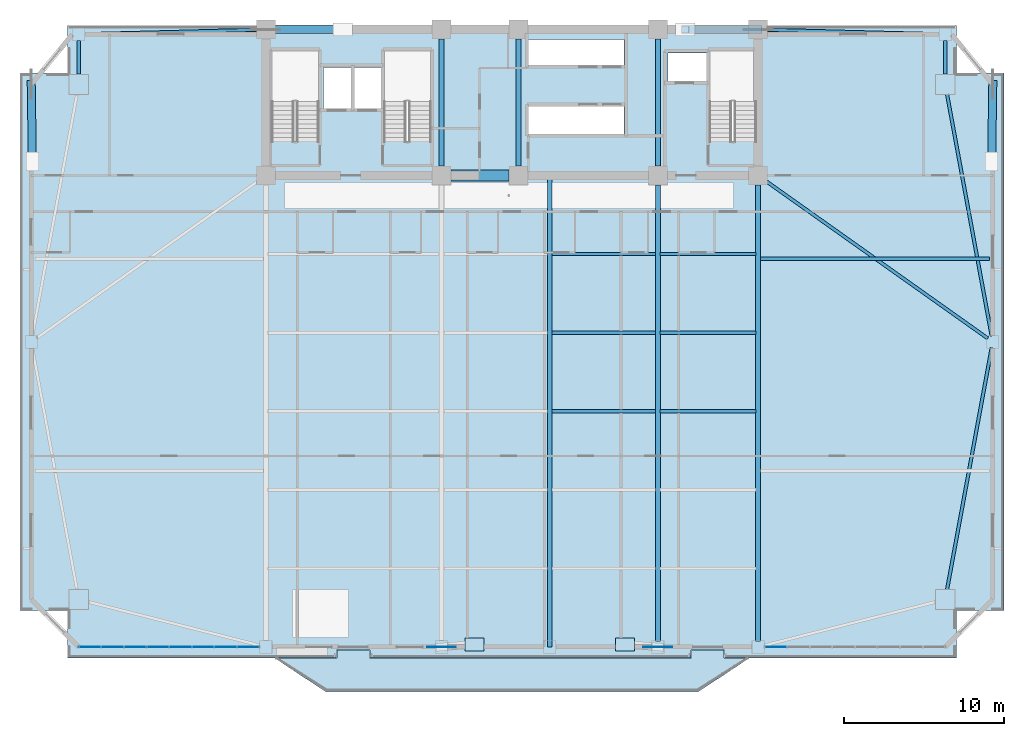
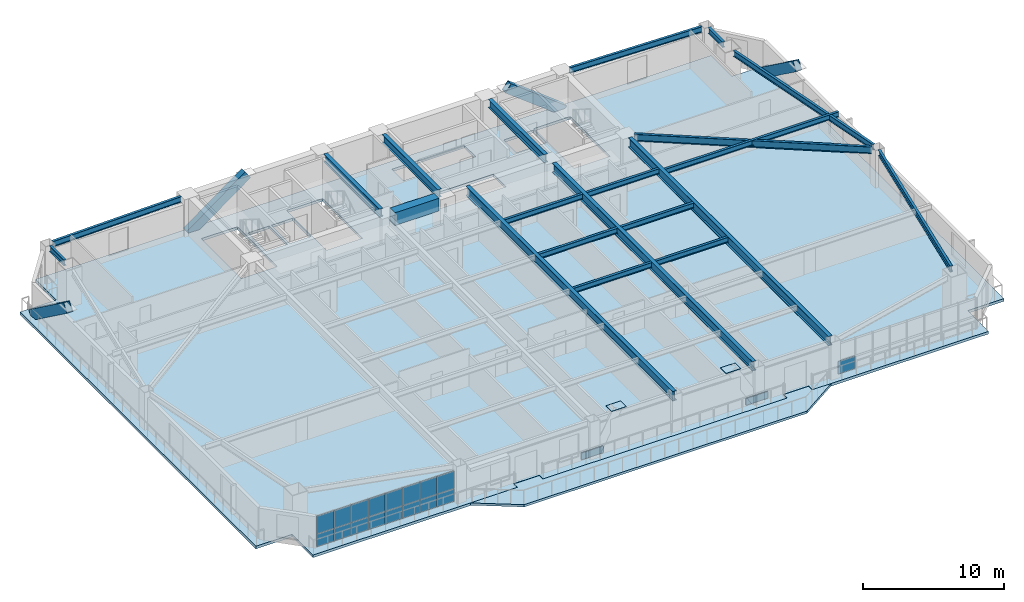
# One storey, part 6 of 17: 21 beams, 21 plates, 4 members, 2 slabs, 2 elements without a shape of their own.
"""IFC4 building model written with IfcOpenShell, lengths in metres."""

from ifc_helpers import new_model, si_unit, direction, frame, origin, origin_2d, place, context, subcontext, project, spatial, polyline, rectangle, hollow_rectangle, i_section, outline, extrude, source, transform, mapped, material, layer, layer_set, material_profile, profile_set, type_object, element, aggregate, save


model = new_model("IFC4")

# Units and contexts
model_context = context("Model", 3, precision=1e-05, world=origin(), true_north=direction((0.0, 1.0)))
body_context = subcontext(model_context, "Body", "Model", "MODEL_VIEW")
ifc_project = project(units=[si_unit("LENGTHUNIT", "METRE"), si_unit("AREAUNIT", "SQUARE_METRE"), si_unit("VOLUMEUNIT", "CUBIC_METRE"), si_unit("PLANEANGLEUNIT", "RADIAN"), si_unit("MASSUNIT", "GRAM", prefix="KILO")], contexts=[model_context])

# Site, building, storey
site_placement = place(None, origin())
site = spatial("IfcSite", under=ifc_project, at=site_placement, CompositionType="ELEMENT")
building_placement = place(site_placement, origin())
building = spatial("IfcBuilding", under=site, at=building_placement, Name="Giltprow Tower", CompositionType="ELEMENT")
storey_placement = place(building_placement, frame((0.0, 0.0, 137.699951171875)))
storey = spatial("IfcBuildingStorey", under=building, at=storey_placement, Name="L33", CompositionType="ELEMENT", Elevation=137.699951171875)

# Beams
ifc_material_1 = material(Name="Concrete C60", Category="concrete")
ifc_material_profile_1 = material_profile(ifc_material_1, rectangle(XDim=0.699951171875, YDim=1.10009765625, at=origin_2d()), Name="RC 1100x700")
ifc_profile_set_1 = profile_set([ifc_material_profile_1], Name="Concrete C60")
beam_type_1 = type_object("IfcBeamType", Name="BM-CPL-RC1100", PredefinedType="LINTEL", material=ifc_profile_set_1)
shared_shape_1 = source(origin(), body_context, "Body", "SweptSolid", [
    extrude(rectangle(XDim=0.699951171875, YDim=1.10009765625, at=origin_2d()), origin(), (0.0, 0.0, 1.0), 3.6298828125),
])
beam_1_placement = place(storey_placement, frame((31.385009765625, 37.449951171875, 2.719970703125), z_axis=(1.0, 0.0, 0.0), x_axis=(0.0, 1.0, 0.0)))
element("IfcBeam", 1, at=beam_1_placement, inside=storey, type_object=beam_type_1, Name="L33 Core Coupling Beam CB-1", PredefinedType="LINTEL", context=body_context, shape_type="MappedRepresentation", body=[
    mapped(shared_shape_1, transform((0.0, 0.0, 0.0), x_axis=(1.0, 0.0, 0.0), y_axis=(0.0, 1.0, 0.0), z_axis=(0.0, 0.0, 1.0), scale=1.0)),
])
ifc_material_2 = material(Name="Structural steel Q355B", Category="steel")
ifc_material_profile_2 = material_profile(ifc_material_2, i_section(OverallWidth=0.300048828125, OverallDepth=0.699951171875, WebThickness=0.012939453125, FlangeThickness=0.02392578125, at=origin_2d()), Name="HN 700x300x13x24")
ifc_profile_set_2 = profile_set([ifc_material_profile_2], Name="Structural steel Q355B")
beam_type_2 = type_object("IfcBeamType", Name="BM-GIRD-HN700", PredefinedType="BEAM", material=ifc_profile_set_2)
shared_shape_2 = source(origin(), body_context, "Body", "SweptSolid", [
    extrude(i_section(OverallWidth=0.300048828125, OverallDepth=0.699951171875, WebThickness=0.012939453125, FlangeThickness=0.02392578125, at=origin_2d()), origin(), (0.0, 0.0, 1.0), 7.93017578125),
])
for number, where, z_axis, x_axis, name in (
    (2, (30.800048828125, 38.034912109375, 2.920166015625), (0.0, 1.0, 0.0), (-1.0, 0.0, 0.0), "L33 Core Tie Girder M1"),
    (3, (35.60009765625, 38.034912109375, 2.920166015625), (0.0, 1.0, 0.0), (-1.0, 0.0, 0.0), "L33 Core Tie Girder M2"),
    (4, (44.300048828125, 38.034912109375, 2.920166015625), (0.0, 1.0, 0.0), (-1.0, 0.0, 0.0), "L33 Core Tie Girder M3"),
):
    element("IfcBeam", number, at=place(storey_placement, frame(where, z_axis=z_axis, x_axis=x_axis)), inside=storey, type_object=beam_type_2, Name=name, PredefinedType="BEAM", context=body_context, shape_type="MappedRepresentation", body=[
        mapped(shared_shape_2, transform((0.0, 0.0, 0.0), x_axis=(1.0, 0.0, 0.0), y_axis=(0.0, 1.0, 0.0), z_axis=(0.0, 0.0, 1.0), scale=1.0)),
    ])
ifc_material_profile_3 = material_profile(ifc_material_2, i_section(OverallWidth=0.199951171875, OverallDepth=0.449951171875, WebThickness=0.009033203125, FlangeThickness=0.013916015625, at=origin_2d()), Name="HN 450x200x9x14")
ifc_profile_set_3 = profile_set([ifc_material_profile_3], Name="Structural steel Q355B")
beam_type_3 = type_object("IfcBeamType", Name="BM-JOIST-HN450", PredefinedType="JOIST", material=ifc_profile_set_3)
shared_shape_3 = source(origin(), body_context, "Body", "SweptSolid", [
    extrude(i_section(OverallWidth=0.199951171875, OverallDepth=0.449951171875, WebThickness=0.009033203125, FlangeThickness=0.013916015625, at=origin_2d()), origin(), (0.0, 0.0, 1.0), 6.4599609375),
])
for number, where, z_axis, x_axis, name in (
    (5, (37.695068359375, 22.748046875, 3.045166015625), (1.0, 0.0, 0.0), (0.0, 1.0, 0.0), "L33 Composite Floor Joist 3-3"),
    (6, (37.695068359375, 27.64794921875, 3.045166015625), (1.0, 0.0, 0.0), (0.0, 1.0, 0.0), "L33 Composite Floor Joist 4-3"),
    (7, (37.695068359375, 32.549072265625, 3.045166015625), (1.0, 0.0, 0.0), (0.0, 1.0, 0.0), "L33 Composite Floor Joist 5-3"),
):
    element("IfcBeam", number, at=place(storey_placement, frame(where, z_axis=z_axis, x_axis=x_axis)), inside=storey, type_object=beam_type_3, Name=name, PredefinedType="JOIST", context=body_context, shape_type="MappedRepresentation", body=[
        mapped(shared_shape_3, transform((0.0, 0.0, 0.0), x_axis=(1.0, 0.0, 0.0), y_axis=(0.0, 1.0, 0.0), z_axis=(0.0, 0.0, 1.0), scale=1.0)),
    ])
shared_shape_4 = source(origin(), body_context, "Body", "SweptSolid", [
    extrude(i_section(OverallWidth=0.199951171875, OverallDepth=0.449951171875, WebThickness=0.009033203125, FlangeThickness=0.013916015625, at=origin_2d()), origin(), (0.0, 0.0, 1.0), 5.9599609375),
])
for number, where, z_axis, x_axis, name in (
    (8, (44.445068359375, 22.748046875, 3.045166015625), (1.0, 0.0, 0.0), (0.0, 1.0, 0.0), "L33 Composite Floor Joist 3-4"),
    (9, (44.445068359375, 27.64794921875, 3.045166015625), (1.0, 0.0, 0.0), (0.0, 1.0, 0.0), "L33 Composite Floor Joist 4-4"),
    (10, (44.445068359375, 32.549072265625, 3.045166015625), (1.0, 0.0, 0.0), (0.0, 1.0, 0.0), "L33 Composite Floor Joist 5-4"),
):
    element("IfcBeam", number, at=place(storey_placement, frame(where, z_axis=z_axis, x_axis=x_axis)), inside=storey, type_object=beam_type_3, Name=name, PredefinedType="JOIST", context=body_context, shape_type="MappedRepresentation", body=[
        mapped(shared_shape_4, transform((0.0, 0.0, 0.0), x_axis=(1.0, 0.0, 0.0), y_axis=(0.0, 1.0, 0.0), z_axis=(0.0, 0.0, 1.0), scale=1.0)),
    ])
shared_shape_5 = source(origin(), body_context, "Body", "SweptSolid", [
    extrude(i_section(OverallWidth=0.199951171875, OverallDepth=0.449951171875, WebThickness=0.009033203125, FlangeThickness=0.013916015625, at=origin_2d()), origin(), (0.0, 0.0, 1.0), 14.27099609375),
])
beam_2_placement = place(storey_placement, frame((50.695068359375, 32.260986328125, 3.045166015625), z_axis=(1.0, 0.0, 0.0), x_axis=(0.0, 1.0, 0.0)))
element("IfcBeam", 11, at=beam_2_placement, inside=storey, type_object=beam_type_3, Name="L33 East Wing Floor Joist 2", PredefinedType="JOIST", context=body_context, shape_type="MappedRepresentation", body=[
    mapped(shared_shape_5, transform((0.0, 0.0, 0.0), x_axis=(1.0, 0.0, 0.0), y_axis=(0.0, 1.0, 0.0), z_axis=(0.0, 0.0, 1.0), scale=1.0)),
])
ifc_material_profile_4 = material_profile(ifc_material_2, i_section(OverallWidth=0.199951171875, OverallDepth=0.5, WebThickness=0.010009765625, FlangeThickness=0.01611328125, at=origin_2d()), Name="HN 500x200x10x16")
ifc_profile_set_4 = profile_set([ifc_material_profile_4], Name="Structural steel Q355B")
beam_type_4 = type_object("IfcBeamType", Name="BM-SPAN-HN500", PredefinedType="SPANDREL", material=ifc_profile_set_4)
shared_shape_6 = source(origin(), body_context, "Body", "SweptSolid", [
    extrude(i_section(OverallWidth=0.199951171875, OverallDepth=0.5, WebThickness=0.010009765625, FlangeThickness=0.01611328125, at=origin_2d()), origin(), (0.0, 0.0, 1.0), 15.3134765625),
])
for number, where, z_axis, x_axis, name in (
    (12, (62.3359375, 11.634033203125, 3.02001953125), (0.181540600951, 0.98338345024, 0.0), (-0.98338345024, 0.181540600951, 0.0), "L33 Perimeter Spandrel Beam MC_SE-E_MID"),
    (13, (65.115966796875, 27.450927734375, 3.02001953125), (-0.181540600951, 0.98338345024, 0.0), (-0.98338345024, -0.181540600951, 0.0), "L33 Perimeter Spandrel Beam E_MID-MC_NE"),
):
    element("IfcBeam", number, at=place(storey_placement, frame(where, z_axis=z_axis, x_axis=x_axis)), inside=storey, type_object=beam_type_4, Name=name, PredefinedType="SPANDREL", context=body_context, shape_type="MappedRepresentation", body=[
        mapped(shared_shape_6, transform((0.0, 0.0, 0.0), x_axis=(1.0, 0.0, 0.0), y_axis=(0.0, 1.0, 0.0), z_axis=(0.0, 0.0, 1.0), scale=1.0)),
    ])
shared_shape_7 = source(origin(), body_context, "Body", "SweptSolid", [
    extrude(i_section(OverallWidth=0.199951171875, OverallDepth=0.5, WebThickness=0.010009765625, FlangeThickness=0.01611328125, at=origin_2d()), origin(), (0.0, 0.0, 1.0), 2.095947265625),
])
for number, where, z_axis, x_axis, name in (
    (14, (62.220947265625, 43.76904296875, 3.02001953125), (0.0, 1.0, 0.0), (-1.0, 0.0, 0.0), "L33 Perimeter Spandrel Beam MC_NE-N_E"),
    (15, (8.178955078125, 45.864990234375, 3.02001953125), (0.0, -1.0, 0.0), (1.0, 0.0, 0.0), "L33 Perimeter Spandrel Beam N_W-MC_NW"),
):
    element("IfcBeam", number, at=place(storey_placement, frame(where, z_axis=z_axis, x_axis=x_axis)), inside=storey, type_object=beam_type_4, Name=name, PredefinedType="SPANDREL", context=body_context, shape_type="MappedRepresentation", body=[
        mapped(shared_shape_7, transform((0.0, 0.0, 0.0), x_axis=(1.0, 0.0, 0.0), y_axis=(0.0, 1.0, 0.0), z_axis=(0.0, 0.0, 1.0), scale=1.0)),
    ])
shared_shape_8 = source(origin(), body_context, "Body", "SweptSolid", [
    extrude(i_section(OverallWidth=0.199951171875, OverallDepth=0.5, WebThickness=0.010009765625, FlangeThickness=0.01611328125, at=origin_2d()), origin(), (0.0, 0.0, 1.0), 10.704345703125),
])
for number, where, z_axis, x_axis, name in (
    (16, (8.56396484375, 46.260009765625, 3.02001953125), (0.999670185966, 0.02568110765, 0.0), (-0.02568110765, 0.999670185966, 0.0), "L33 North Wing Spandrel W"),
    (17, (51.135009765625, 46.534912109375, 3.02001953125), (0.999670185966, -0.02568110765, 0.0), (0.02568110765, 0.999670185966, 0.0), "L33 North Wing Spandrel E"),
):
    element("IfcBeam", number, at=place(storey_placement, frame(where, z_axis=z_axis, x_axis=x_axis)), inside=storey, type_object=beam_type_4, Name=name, PredefinedType="SPANDREL", context=body_context, shape_type="MappedRepresentation", body=[
        mapped(shared_shape_8, transform((0.0, 0.0, 0.0), x_axis=(1.0, 0.0, 0.0), y_axis=(0.0, 1.0, 0.0), z_axis=(0.0, 0.0, 1.0), scale=1.0)),
    ])
ifc_material_profile_5 = material_profile(ifc_material_2, i_section(OverallWidth=0.300048828125, OverallDepth=0.800048828125, WebThickness=0.013916015625, FlangeThickness=0.02587890625, at=origin_2d()), Name="HN 800x300x14x26")
ifc_profile_set_5 = profile_set([ifc_material_profile_5], Name="Structural steel Q355B")
beam_type_5 = type_object("IfcBeamType", Name="BM-GIRD-HN800", PredefinedType="BEAM", material=ifc_profile_set_5)
shared_shape_9 = source(origin(), body_context, "Body", "SweptSolid", [
    extrude(i_section(OverallWidth=0.300048828125, OverallDepth=0.800048828125, WebThickness=0.013916015625, FlangeThickness=0.02587890625, at=origin_2d()), origin(), (0.0, 0.0, 1.0), 28.43505859375),
])
for number, where, z_axis, x_axis, name in (
    (18, (44.300048828125, 8.429931640625, 2.8701171875), (0.0, 1.0, 0.0), (-1.0, 0.0, 0.0), "L33 Primary Lease Girder S3"),
    (19, (50.550048828125, 8.429931640625, 2.8701171875), (0.0, 1.0, 0.0), (-1.0, 0.0, 0.0), "L33 Primary Lease Girder S4"),
):
    element("IfcBeam", number, at=place(storey_placement, frame(where, z_axis=z_axis, x_axis=x_axis)), inside=storey, type_object=beam_type_5, Name=name, PredefinedType="BEAM", context=body_context, shape_type="MappedRepresentation", body=[
        mapped(shared_shape_9, transform((0.0, 0.0, 0.0), x_axis=(1.0, 0.0, 0.0), y_axis=(0.0, 1.0, 0.0), z_axis=(0.0, 0.0, 1.0), scale=1.0)),
    ])
shared_shape_10 = source(origin(), body_context, "Body", "SweptSolid", [
    extrude(i_section(OverallWidth=0.300048828125, OverallDepth=0.800048828125, WebThickness=0.013916015625, FlangeThickness=0.02587890625, at=origin_2d()), origin(), (0.0, 0.0, 1.0), 29.405029296875),
])
beam_3_placement = place(storey_placement, frame((37.550048828125, 8.044921875, 2.8701171875), z_axis=(0.0, 1.0, 0.0), x_axis=(-1.0, 0.0, 0.0)))
element("IfcBeam", 20, at=beam_3_placement, inside=storey, type_object=beam_type_5, Name="L33 Central Lease Girder SMID", PredefinedType="BEAM", context=body_context, shape_type="MappedRepresentation", body=[
    mapped(shared_shape_10, transform((0.0, 0.0, 0.0), x_axis=(1.0, 0.0, 0.0), y_axis=(0.0, 1.0, 0.0), z_axis=(0.0, 0.0, 1.0), scale=1.0)),
])
ifc_material_profile_6 = material_profile(ifc_material_2, i_section(OverallWidth=0.199951171875, OverallDepth=0.60009765625, WebThickness=0.010986328125, FlangeThickness=0.01708984375, at=origin_2d()), Name="HN 600x200x11x17")
ifc_profile_set_6 = profile_set([ifc_material_profile_6], Name="Structural steel Q355B")
beam_type_6 = type_object("IfcBeamType", Name="BM-GIRD-HN600", PredefinedType="BEAM", material=ifc_profile_set_6)
shared_shape_11 = source(origin(), body_context, "Body", "SweptSolid", [
    extrude(i_section(OverallWidth=0.199951171875, OverallDepth=0.60009765625, WebThickness=0.010986328125, FlangeThickness=0.01708984375, at=origin_2d()), origin(), (0.0, 0.0, 1.0), 16.972412109375),
])
beam_4_placement = place(storey_placement, frame((64.8720703125, 27.294921875, 2.969970703125), z_axis=(-0.815738567685, 0.57842077175, 0.0), x_axis=(-0.57842077175, -0.815738567685, 0.0)))
element("IfcBeam", 21, at=beam_4_placement, inside=storey, type_object=beam_type_6, Name="L33 East Wing Primary Girder", PredefinedType="BEAM", context=body_context, shape_type="MappedRepresentation", body=[
    mapped(shared_shape_11, transform((0.0, 0.0, 0.0), x_axis=(1.0, 0.0, 0.0), y_axis=(0.0, 1.0, 0.0), z_axis=(0.0, 0.0, 1.0), scale=1.0)),
])

# Members
ifc_material_3 = material(Name="Structural steel Q420GJC", Category="steel")
ifc_material_profile_7 = material_profile(ifc_material_3, hollow_rectangle(XDim=0.5, YDim=0.800048828125, WallThickness=0.035888671875, at=origin_2d()), Name="RHS 800x500x36")
ifc_profile_set_7 = profile_set([ifc_material_profile_7], Name="Structural steel Q420GJC")
member_type = type_object("IfcMemberType", Name="MBR-MEGA-RHS800", PredefinedType="BRACE", material=ifc_profile_set_7)
shared_shape_12 = source(origin(), body_context, "Body", "SweptSolid", [
    extrude(hollow_rectangle(XDim=0.5, YDim=0.800048828125, WallThickness=0.035888671875, at=origin_2d()), origin(), (0.0, 0.0, 1.0), 5.934814453125),
])
member_1_placement = place(storey_placement, frame((19.85009765625, 46.550048828125, -0.139892578125), z_axis=(0.807596082746, 0.0, 0.589736014784), x_axis=(0.0, 1.0, 0.0)))
element("IfcMember", 22, at=member_1_placement, inside=storey, type_object=member_type, Name="L33 Chevron Mega-Brace N-L", PredefinedType="BRACE", context=body_context, shape_type="MappedRepresentation", body=[
    mapped(shared_shape_12, transform((0.0, 0.0, 0.0), x_axis=(1.0, 0.0, 0.0), y_axis=(0.0, 1.0, 0.0), z_axis=(0.0, 0.0, 1.0), scale=1.0)),
])
shared_shape_13 = source(origin(), body_context, "Body", "SweptSolid", [
    extrude(hollow_rectangle(XDim=0.5, YDim=0.800048828125, WallThickness=0.035888671875, at=origin_2d()), origin(), (0.0, 0.0, 1.0), 5.740478515625),
])
member_2_placement = place(storey_placement, frame((50.550048828125, 46.550048828125, -0.139892578125), z_axis=(-0.792627151158, 0.0, 0.609706650158), x_axis=(0.0, -1.0, 0.0)))
element("IfcMember", 23, at=member_2_placement, inside=storey, type_object=member_type, Name="L33 Chevron Mega-Brace N-R", PredefinedType="BRACE", context=body_context, shape_type="MappedRepresentation", body=[
    mapped(shared_shape_13, transform((0.0, 0.0, 0.0), x_axis=(1.0, 0.0, 0.0), y_axis=(0.0, 1.0, 0.0), z_axis=(0.0, 0.0, 1.0), scale=1.0)),
])
shared_shape_14 = source(origin(), body_context, "Body", "SweptSolid", [
    extrude(hollow_rectangle(XDim=0.5, YDim=0.800048828125, WallThickness=0.035888671875, at=origin_2d()), origin(), (0.0, 0.0, 1.0), 5.947509765625),
])
for number, where, z_axis, x_axis, name in (
    (24, (5.214111328125, 43.134033203125, 0.0), (0.012068443181, -0.808421496638, 0.588480277029), (0.999888589989, 0.014926741417, 0.0), "L33 Chevron Mega-Brace W-R"),
    (25, (65.18603515625, 43.134033203125, 0.0), (-0.012109486298, -0.808421095466, 0.588479985001), (0.999887830937, -0.014977501276, 0.0), "L33 Chevron Mega-Brace E-R"),
):
    element("IfcMember", number, at=place(storey_placement, frame(where, z_axis=z_axis, x_axis=x_axis)), inside=storey, type_object=member_type, Name=name, PredefinedType="BRACE", context=body_context, shape_type="MappedRepresentation", body=[
        mapped(shared_shape_14, transform((0.0, 0.0, 0.0), x_axis=(1.0, 0.0, 0.0), y_axis=(0.0, 1.0, 0.0), z_axis=(0.0, 0.0, 1.0), scale=1.0)),
    ])

# Slabs
ifc_material_4 = material(Name="Concrete C40", Category="concrete")
ifc_layer_1 = layer(ifc_material_4, 0.199951171875, Name="Concrete C40")
ifc_layer_set_1 = layer_set([ifc_layer_1], Name="Concrete C40")
slab_type_1 = type_object("IfcSlabType", Name="SLB-BALC-BRONZE-200", PredefinedType="FLOOR", material=ifc_layer_set_1)
slab_1_placement = place(storey_placement, frame((0.0, 0.0, -0.199951171875)))
element("IfcSlab", 26, at=slab_1_placement, inside=storey, type_object=slab_type_1, Name="L33 Bronze Prow Waterfront Balcony Slab", PredefinedType="FLOOR", context=body_context, shape_type="SweptSolid", body=[
    extrude(outline(polyline([(50.0, 7.344970703125), (46.800048828125, 5.2451171875), (23.60009765625, 5.2451171875), (20.39990234375, 7.344970703125), (24.280029296875, 7.344970703125), (24.280029296875, 7.844970703125), (26.320068359375, 7.844970703125), (26.320068359375, 7.344970703125), (46.3798828125, 7.344970703125), (46.3798828125, 7.844970703125), (48.419921875, 7.844970703125), (48.419921875, 7.344970703125), (50.0, 7.344970703125)])), origin(), (0.0, 0.0, 1.0), 0.199951171875),
])
ifc_layer_2 = layer(ifc_material_4, 0.22998046875, Name="Concrete C40")
ifc_layer_set_2 = layer_set([ifc_layer_2], Name="Concrete C40")
slab_type_2 = type_object("IfcSlabType", Name="SLB-HTL-230", PredefinedType="FLOOR", material=ifc_layer_set_2)
slab_2_placement = place(storey_placement, frame((0.0, 0.0, -0.22998046875)))
element("IfcSlab", 27, at=slab_2_placement, inside=storey, type_object=slab_type_2, Name="L33 Structural Composite Floor Slab", PredefinedType="FLOOR", context=body_context, shape_type="SweptSolid", body=[
    extrude(outline(polyline([(7.47900390625, 7.344970703125), (7.47900390625, 10.30908203125), (4.513916015625, 10.30908203125), (4.513916015625, 43.833984375), (7.47900390625, 43.833984375), (7.47900390625, 46.799072265625), (62.9208984375, 46.799072265625), (62.9208984375, 43.833984375), (65.885986328125, 43.833984375), (65.885986328125, 10.30908203125), (62.9208984375, 10.30908203125), (62.9208984375, 7.344970703125), (48.449951171875, 7.344970703125), (48.449951171875, 7.864990234375), (46.35009765625, 7.864990234375), (46.35009765625, 7.344970703125), (26.35009765625, 7.344970703125), (26.35009765625, 7.864990234375), (24.25, 7.864990234375), (24.25, 7.344970703125), (7.47900390625, 7.344970703125)]), holes=[polyline([(42.169921875, 41.800048828125), (36.239990234375, 41.800048828125), (36.239990234375, 40.0), (42.169921875, 40.0), (42.169921875, 41.800048828125)]), polyline([(23.159912109375, 39.570068359375), (23.159912109375, 45.25), (20.199951171875, 45.25), (20.199951171875, 39.570068359375), (23.159912109375, 39.570068359375)]), polyline([(30.159912109375, 39.570068359375), (30.159912109375, 45.25), (27.199951171875, 45.25), (27.199951171875, 39.570068359375), (30.159912109375, 39.570068359375)]), polyline([(50.4599609375, 45.25), (47.5, 45.25), (47.5, 39.570068359375), (50.4599609375, 39.570068359375), (50.4599609375, 45.25)]), polyline([(25.169921875, 44.199951171875), (23.449951171875, 44.199951171875), (23.449951171875, 41.60009765625), (25.169921875, 41.60009765625), (25.169921875, 44.199951171875)]), polyline([(27.10009765625, 44.199951171875), (25.35009765625, 44.199951171875), (25.35009765625, 41.60009765625), (27.10009765625, 41.60009765625), (27.10009765625, 44.199951171875)]), polyline([(47.3798828125, 43.300048828125), (47.3798828125, 45.10009765625), (44.919921875, 45.10009765625), (44.919921875, 43.300048828125), (47.3798828125, 43.300048828125)]), polyline([(42.169921875, 44.300048828125), (42.169921875, 45.919921875), (36.239990234375, 45.919921875), (36.239990234375, 44.300048828125), (42.169921875, 44.300048828125)])]), origin(), (0.0, 0.0, 1.0), 0.22998046875),
])

# Plates
plate_type_1 = type_object("IfcPlateType", Name="PLT-NODE-MBN1", PredefinedType="USERDEFINED", material=ifc_material_3)
shared_shape_15 = source(origin(), body_context, "Body", "SweptSolid", [
    extrude(rectangle(XDim=1.800048828125, YDim=0.050048828125, at=origin_2d()), origin(), (0.0, 0.0, 1.0), 1.14990234375),
])
for number, where, z_axis, x_axis, name in (
    (28, (30.800048828125, 8.044921875, -0.574951171875), (0.0, 0.0, 1.0), (1.0, 0.0, 0.0), "Mega-Brace Node L33-S-LA"),
    (29, (44.300048828125, 8.044921875, -0.574951171875), (0.0, 0.0, 1.0), (1.0, 0.0, 0.0), "Mega-Brace Node L33-S-RA"),
):
    element("IfcPlate", number, at=place(storey_placement, frame(where, z_axis=z_axis, x_axis=x_axis)), inside=storey, type_object=plate_type_1, Name=name, ObjectType="GUSSET", PredefinedType="USERDEFINED", context=body_context, shape_type="MappedRepresentation", body=[
        mapped(shared_shape_15, transform((0.0, 0.0, 0.0), x_axis=(1.0, 0.0, 0.0), y_axis=(0.0, 1.0, 0.0), z_axis=(0.0, 0.0, 1.0), scale=1.0)),
    ])
plate_type_2 = type_object("IfcPlateType", Name="PLT-CAP-SEAL", PredefinedType="USERDEFINED", material=ifc_material_3)
shared_shape_16 = source(origin(), body_context, "Body", "SweptSolid", [
    extrude(rectangle(XDim=1.199951171875, YDim=0.800048828125, at=origin_2d()), origin(), (0.0, 0.0, 1.0), 0.034912109375),
])
for number, where, z_axis, x_axis, name in (
    (30, (32.85400390625, 8.205078125, 3.482421875), (0.0, 0.0, 1.0), (1.0, 0.0, 0.0), "Mega-Brace Node L33-S-LB"),
    (31, (42.24609375, 8.205078125, 3.482421875), (0.0, 0.0, 1.0), (1.0, 0.0, 0.0), "Mega-Brace Node L33-S-RB"),
):
    element("IfcPlate", number, at=place(storey_placement, frame(where, z_axis=z_axis, x_axis=x_axis)), inside=storey, type_object=plate_type_2, Name=name, ObjectType="SPLICE", PredefinedType="USERDEFINED", context=body_context, shape_type="MappedRepresentation", body=[
        mapped(shared_shape_16, transform((0.0, 0.0, 0.0), x_axis=(1.0, 0.0, 0.0), y_axis=(0.0, 1.0, 0.0), z_axis=(0.0, 0.0, 1.0), scale=1.0)),
    ])

# Curtain wall, plates
ifc_material_5 = material(Name="Anodized bronze", Category="metal")
ifc_layer_3 = layer(ifc_material_5, 0.179931640625, Name="Anodized bronze")
ifc_layer_set_3 = layer_set([ifc_layer_3], Name="Anodized bronze")
curtain_wall_type = type_object("IfcCurtainWallType", Name="CW-HTL-BRONZE", PredefinedType="NOTDEFINED", material=ifc_layer_set_3)
curtain_wall_1_placement = place(storey_placement, origin())
curtain_wall_1 = element("IfcCurtainWall", 32, at=curtain_wall_1_placement, inside=storey, type_object=curtain_wall_type, Name="L33 South Recessed Curtain Wall 1", PredefinedType="NOTDEFINED")
ifc_material_6 = material(Name="Insulated glass", Category="glass")
plate_type_3 = type_object("IfcPlateType", Name="CW-PANEL-IGU-28", PredefinedType="CURTAIN_PANEL", material=ifc_material_6)
shared_shape_17 = source(origin(), body_context, "Body", "SweptSolid", [
    extrude(rectangle(XDim=1.37890625, YDim=0.028076171875, at=origin_2d()), origin(), (0.0, 0.0, 1.0), 1.0869140625),
])
plate_1_placement = place(storey_placement, frame((8.883056640625, 8.044921875, 0.0546875), z_axis=(0.0, 0.0, 1.0), x_axis=(1.0, 0.0, 0.0)))
plate_1 = element("IfcPlate", 33, at=plate_1_placement, type_object=plate_type_3, Name="L33 South Recessed Curtain Wall 1 Glazing Panel 1-1", PredefinedType="CURTAIN_PANEL", context=body_context, shape_type="MappedRepresentation", body=[
    mapped(shared_shape_17, transform((0.0, 0.0, 0.0), x_axis=(1.0, 0.0, 0.0), y_axis=(0.0, 1.0, 0.0), z_axis=(0.0, 0.0, 1.0), scale=1.0)),
])
plate_2_placement = place(storey_placement, frame((10.2919921875, 8.044921875, 0.0546875), z_axis=(0.0, 0.0, 1.0), x_axis=(1.0, 0.0, 0.0)))
plate_2 = element("IfcPlate", 34, at=plate_2_placement, type_object=plate_type_3, Name="L33 South Recessed Curtain Wall 1 Glazing Panel 2-1", PredefinedType="CURTAIN_PANEL", context=body_context, shape_type="MappedRepresentation", body=[
    mapped(shared_shape_17, transform((0.0, 0.0, 0.0), x_axis=(1.0, 0.0, 0.0), y_axis=(0.0, 1.0, 0.0), z_axis=(0.0, 0.0, 1.0), scale=1.0)),
])
plate_3_placement = place(storey_placement, frame((11.700927734375, 8.044921875, 0.0546875), z_axis=(0.0, 0.0, 1.0), x_axis=(1.0, 0.0, 0.0)))
plate_3 = element("IfcPlate", 35, at=plate_3_placement, type_object=plate_type_3, Name="L33 South Recessed Curtain Wall 1 Glazing Panel 3-1", PredefinedType="CURTAIN_PANEL", context=body_context, shape_type="MappedRepresentation", body=[
    mapped(shared_shape_17, transform((0.0, 0.0, 0.0), x_axis=(1.0, 0.0, 0.0), y_axis=(0.0, 1.0, 0.0), z_axis=(0.0, 0.0, 1.0), scale=1.0)),
])
plate_4_placement = place(storey_placement, frame((13.110107421875, 8.044921875, 0.0546875), z_axis=(0.0, 0.0, 1.0), x_axis=(1.0, 0.0, 0.0)))
plate_4 = element("IfcPlate", 36, at=plate_4_placement, type_object=plate_type_3, Name="L33 South Recessed Curtain Wall 1 Glazing Panel 4-1", PredefinedType="CURTAIN_PANEL", context=body_context, shape_type="MappedRepresentation", body=[
    mapped(shared_shape_17, transform((0.0, 0.0, 0.0), x_axis=(1.0, 0.0, 0.0), y_axis=(0.0, 1.0, 0.0), z_axis=(0.0, 0.0, 1.0), scale=1.0)),
])
plate_5_placement = place(storey_placement, frame((14.51904296875, 8.044921875, 0.0546875), z_axis=(0.0, 0.0, 1.0), x_axis=(1.0, 0.0, 0.0)))
plate_5 = element("IfcPlate", 37, at=plate_5_placement, type_object=plate_type_3, Name="L33 South Recessed Curtain Wall 1 Glazing Panel 5-1", PredefinedType="CURTAIN_PANEL", context=body_context, shape_type="MappedRepresentation", body=[
    mapped(shared_shape_17, transform((0.0, 0.0, 0.0), x_axis=(1.0, 0.0, 0.0), y_axis=(0.0, 1.0, 0.0), z_axis=(0.0, 0.0, 1.0), scale=1.0)),
])
plate_6_placement = place(storey_placement, frame((15.927978515625, 8.044921875, 0.0546875), z_axis=(0.0, 0.0, 1.0), x_axis=(1.0, 0.0, 0.0)))
plate_6 = element("IfcPlate", 38, at=plate_6_placement, type_object=plate_type_3, Name="L33 South Recessed Curtain Wall 1 Glazing Panel 6-1", PredefinedType="CURTAIN_PANEL", context=body_context, shape_type="MappedRepresentation", body=[
    mapped(shared_shape_17, transform((0.0, 0.0, 0.0), x_axis=(1.0, 0.0, 0.0), y_axis=(0.0, 1.0, 0.0), z_axis=(0.0, 0.0, 1.0), scale=1.0)),
])
plate_7_placement = place(storey_placement, frame((17.3369140625, 8.044921875, 0.0546875), z_axis=(0.0, 0.0, 1.0), x_axis=(1.0, 0.0, 0.0)))
plate_7 = element("IfcPlate", 39, at=plate_7_placement, type_object=plate_type_3, Name="L33 South Recessed Curtain Wall 1 Glazing Panel 7-1", PredefinedType="CURTAIN_PANEL", context=body_context, shape_type="MappedRepresentation", body=[
    mapped(shared_shape_17, transform((0.0, 0.0, 0.0), x_axis=(1.0, 0.0, 0.0), y_axis=(0.0, 1.0, 0.0), z_axis=(0.0, 0.0, 1.0), scale=1.0)),
])
plate_8_placement = place(storey_placement, frame((18.74609375, 8.044921875, 0.0546875), z_axis=(0.0, 0.0, 1.0), x_axis=(1.0, 0.0, 0.0)))
plate_8 = element("IfcPlate", 40, at=plate_8_placement, type_object=plate_type_3, Name="L33 South Recessed Curtain Wall 1 Glazing Panel 8-1", PredefinedType="CURTAIN_PANEL", context=body_context, shape_type="MappedRepresentation", body=[
    mapped(shared_shape_17, transform((0.0, 0.0, 0.0), x_axis=(1.0, 0.0, 0.0), y_axis=(0.0, 1.0, 0.0), z_axis=(0.0, 0.0, 1.0), scale=1.0)),
])

# Curtain wall, plate
curtain_wall_2_placement = place(storey_placement, origin())
curtain_wall_2 = element("IfcCurtainWall", 41, at=curtain_wall_2_placement, inside=storey, type_object=curtain_wall_type, Name="L33 South Recessed Curtain Wall 6", PredefinedType="NOTDEFINED")
plate_9_placement = place(storey_placement, frame((51.654052734375, 8.044921875, 0.0546875), z_axis=(0.0, 0.0, 1.0), x_axis=(1.0, 0.0, 0.0)))
plate_9 = element("IfcPlate", 42, at=plate_9_placement, type_object=plate_type_3, Name="L33 South Recessed Curtain Wall 6 Glazing Panel 1-1", PredefinedType="CURTAIN_PANEL", context=body_context, shape_type="MappedRepresentation", body=[
    mapped(shared_shape_17, transform((0.0, 0.0, 0.0), x_axis=(1.0, 0.0, 0.0), y_axis=(0.0, 1.0, 0.0), z_axis=(0.0, 0.0, 1.0), scale=1.0)),
])
aggregate(curtain_wall_2, [plate_9])

# Plate
shared_shape_18 = source(origin(), body_context, "Body", "SweptSolid", [
    extrude(rectangle(XDim=1.37890625, YDim=0.028076171875, at=origin_2d()), origin(), (0.0, 0.0, 1.0), 1.527099609375),
])
plate_10_placement = place(storey_placement, frame((8.883056640625, 8.044921875, 1.16845703125), z_axis=(0.0, 0.0, 1.0), x_axis=(1.0, 0.0, 0.0)))
plate_10 = element("IfcPlate", 43, at=plate_10_placement, type_object=plate_type_3, Name="L33 South Recessed Curtain Wall 1 Glazing Panel 1-2", PredefinedType="CURTAIN_PANEL", context=body_context, shape_type="MappedRepresentation", body=[
    mapped(shared_shape_18, transform((0.0, 0.0, 0.0), x_axis=(1.0, 0.0, 0.0), y_axis=(0.0, 1.0, 0.0), z_axis=(0.0, 0.0, 1.0), scale=1.0)),
])

plate_11_placement = place(storey_placement, frame((10.2919921875, 8.044921875, 1.16845703125), z_axis=(0.0, 0.0, 1.0), x_axis=(1.0, 0.0, 0.0)))
plate_11 = element("IfcPlate", 44, at=plate_11_placement, type_object=plate_type_3, Name="L33 South Recessed Curtain Wall 1 Glazing Panel 2-2", PredefinedType="CURTAIN_PANEL", context=body_context, shape_type="MappedRepresentation", body=[
    mapped(shared_shape_18, transform((0.0, 0.0, 0.0), x_axis=(1.0, 0.0, 0.0), y_axis=(0.0, 1.0, 0.0), z_axis=(0.0, 0.0, 1.0), scale=1.0)),
])

plate_12_placement = place(storey_placement, frame((11.700927734375, 8.044921875, 1.16845703125), z_axis=(0.0, 0.0, 1.0), x_axis=(1.0, 0.0, 0.0)))
plate_12 = element("IfcPlate", 45, at=plate_12_placement, type_object=plate_type_3, Name="L33 South Recessed Curtain Wall 1 Glazing Panel 3-2", PredefinedType="CURTAIN_PANEL", context=body_context, shape_type="MappedRepresentation", body=[
    mapped(shared_shape_18, transform((0.0, 0.0, 0.0), x_axis=(1.0, 0.0, 0.0), y_axis=(0.0, 1.0, 0.0), z_axis=(0.0, 0.0, 1.0), scale=1.0)),
])

plate_13_placement = place(storey_placement, frame((13.110107421875, 8.044921875, 1.16845703125), z_axis=(0.0, 0.0, 1.0), x_axis=(1.0, 0.0, 0.0)))
plate_13 = element("IfcPlate", 46, at=plate_13_placement, type_object=plate_type_3, Name="L33 South Recessed Curtain Wall 1 Glazing Panel 4-2", PredefinedType="CURTAIN_PANEL", context=body_context, shape_type="MappedRepresentation", body=[
    mapped(shared_shape_18, transform((0.0, 0.0, 0.0), x_axis=(1.0, 0.0, 0.0), y_axis=(0.0, 1.0, 0.0), z_axis=(0.0, 0.0, 1.0), scale=1.0)),
])

plate_14_placement = place(storey_placement, frame((14.51904296875, 8.044921875, 1.16845703125), z_axis=(0.0, 0.0, 1.0), x_axis=(1.0, 0.0, 0.0)))
plate_14 = element("IfcPlate", 47, at=plate_14_placement, type_object=plate_type_3, Name="L33 South Recessed Curtain Wall 1 Glazing Panel 5-2", PredefinedType="CURTAIN_PANEL", context=body_context, shape_type="MappedRepresentation", body=[
    mapped(shared_shape_18, transform((0.0, 0.0, 0.0), x_axis=(1.0, 0.0, 0.0), y_axis=(0.0, 1.0, 0.0), z_axis=(0.0, 0.0, 1.0), scale=1.0)),
])

plate_15_placement = place(storey_placement, frame((15.927978515625, 8.044921875, 1.16845703125), z_axis=(0.0, 0.0, 1.0), x_axis=(1.0, 0.0, 0.0)))
plate_15 = element("IfcPlate", 48, at=plate_15_placement, type_object=plate_type_3, Name="L33 South Recessed Curtain Wall 1 Glazing Panel 6-2", PredefinedType="CURTAIN_PANEL", context=body_context, shape_type="MappedRepresentation", body=[
    mapped(shared_shape_18, transform((0.0, 0.0, 0.0), x_axis=(1.0, 0.0, 0.0), y_axis=(0.0, 1.0, 0.0), z_axis=(0.0, 0.0, 1.0), scale=1.0)),
])

plate_16_placement = place(storey_placement, frame((17.3369140625, 8.044921875, 1.16845703125), z_axis=(0.0, 0.0, 1.0), x_axis=(1.0, 0.0, 0.0)))
plate_16 = element("IfcPlate", 49, at=plate_16_placement, type_object=plate_type_3, Name="L33 South Recessed Curtain Wall 1 Glazing Panel 7-2", PredefinedType="CURTAIN_PANEL", context=body_context, shape_type="MappedRepresentation", body=[
    mapped(shared_shape_18, transform((0.0, 0.0, 0.0), x_axis=(1.0, 0.0, 0.0), y_axis=(0.0, 1.0, 0.0), z_axis=(0.0, 0.0, 1.0), scale=1.0)),
])

plate_17_placement = place(storey_placement, frame((18.74609375, 8.044921875, 1.16845703125), z_axis=(0.0, 0.0, 1.0), x_axis=(1.0, 0.0, 0.0)))
plate_17 = element("IfcPlate", 50, at=plate_17_placement, type_object=plate_type_3, Name="L33 South Recessed Curtain Wall 1 Glazing Panel 8-2", PredefinedType="CURTAIN_PANEL", context=body_context, shape_type="MappedRepresentation", body=[
    mapped(shared_shape_18, transform((0.0, 0.0, 0.0), x_axis=(1.0, 0.0, 0.0), y_axis=(0.0, 1.0, 0.0), z_axis=(0.0, 0.0, 1.0), scale=1.0)),
])

aggregate(curtain_wall_1, [plate_1, plate_10, plate_2, plate_11, plate_3, plate_12, plate_4, plate_13, plate_5, plate_14, plate_6, plate_15, plate_7, plate_16, plate_8, plate_17])

save(model, "model.ifc")
